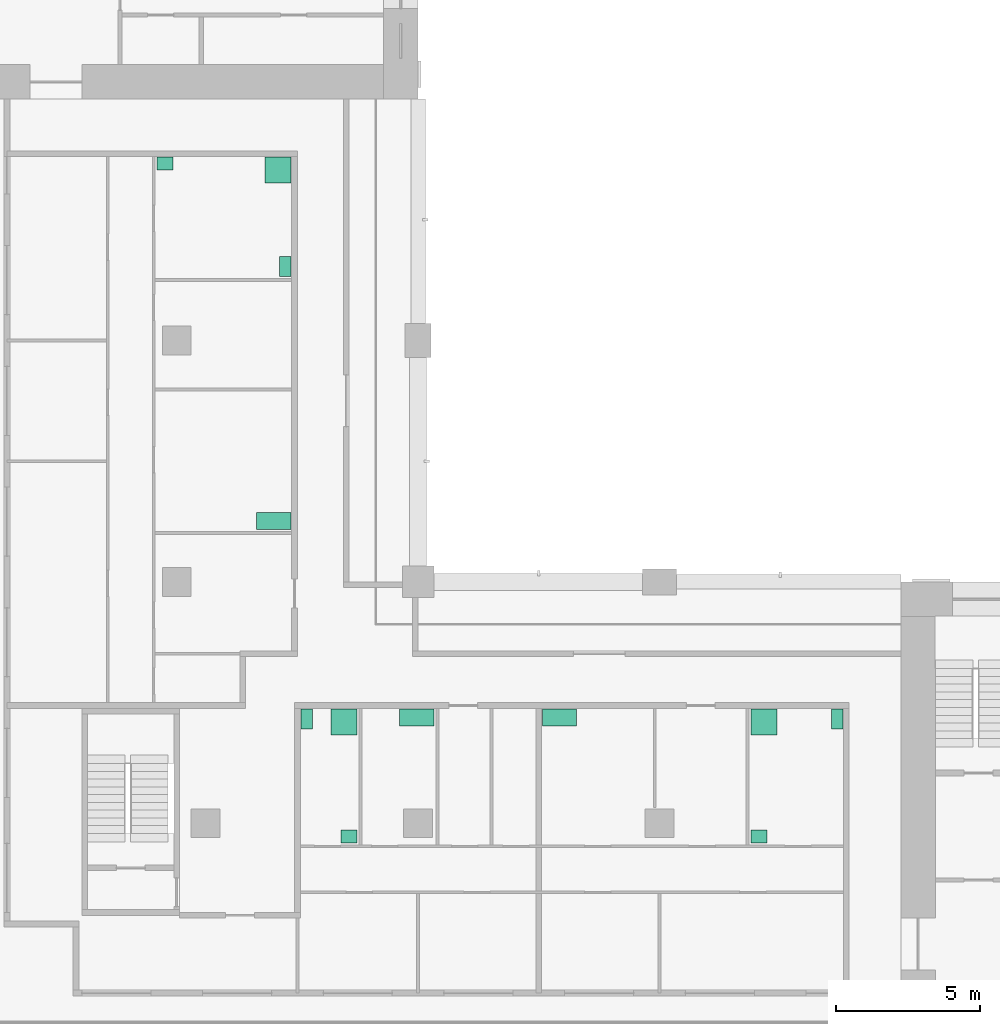
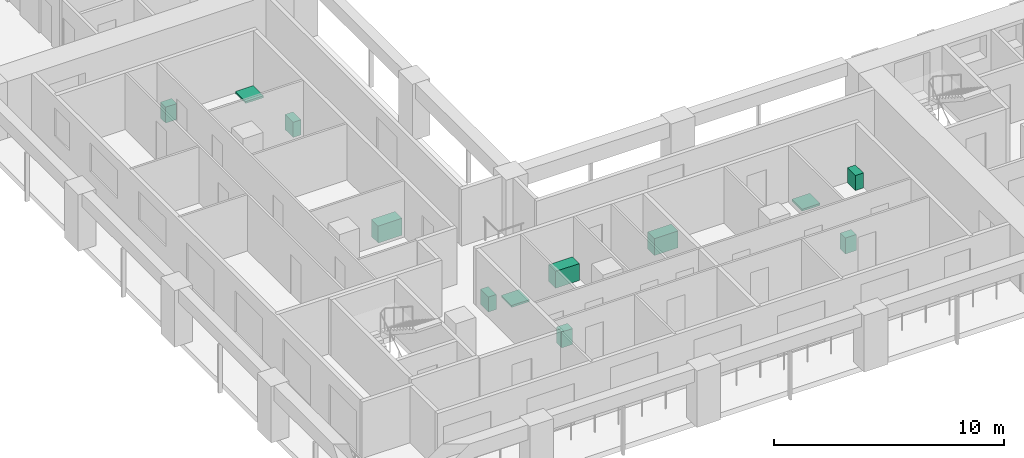
# One storey, part 11 of 11: 12 sanitary terminals.
"""IFC4 building model written with IfcOpenShell, lengths in metres."""

from ifc_helpers import new_model, si_unit, direction, frame, origin, origin_2d, place, context, subcontext, project, spatial, rectangle, extrude, material, element, save


model = new_model("IFC4")

# Units and contexts
model_context = context("Model", 3, precision=1e-05, world=origin(), true_north=direction((0.0, 1.0)))
body_context = subcontext(model_context, "Body", "Model", "MODEL_VIEW")
ifc_project = project(units=[si_unit("LENGTHUNIT", "METRE"), si_unit("AREAUNIT", "SQUARE_METRE"), si_unit("VOLUMEUNIT", "CUBIC_METRE"), si_unit("PLANEANGLEUNIT", "RADIAN"), si_unit("MASSUNIT", "GRAM", prefix="KILO")], contexts=[model_context])

# Site, building, storey
site_placement = place(None, origin())
site = spatial("IfcSite", under=ifc_project, at=site_placement, CompositionType="ELEMENT")
building_placement = place(site_placement, origin())
building = spatial("IfcBuilding", under=site, at=building_placement, Name="Vermilion Gate Residences", CompositionType="ELEMENT")
storey_placement = place(building_placement, frame((0.0, 0.0, 203.699951171875)))
storey = spatial("IfcBuildingStorey", under=building, at=storey_placement, Name="L53", CompositionType="ELEMENT", Elevation=203.699951171875)

# Sanitary terminals
ifc_material_1 = material(Name="Vitreous china")
sanitary_terminal_1_placement = place(storey_placement, frame((22.6201171875, 20.330078125, 0.0), z_axis=(0.0, 0.0, 1.0), x_axis=(1.0, 0.0, 0.0)))
element("IfcSanitaryTerminal", 1, at=sanitary_terminal_1_placement, inside=storey, material=ifc_material_1, Name="Shower tray", PredefinedType="SHOWER", context=body_context, shape_type="SweptSolid", body=[
    extrude(rectangle(XDim=0.89990234375, YDim=0.89990234375, at=origin_2d()), origin(), (0.0, 0.0, 1.0), 0.10009765625),
])
sanitary_terminal_2_placement = place(storey_placement, frame((21.320068359375, 20.429931640625, 0.0), z_axis=(0.0, 0.0, 1.0), x_axis=(1.0, 0.0, 0.0)))
element("IfcSanitaryTerminal", 2, at=sanitary_terminal_2_placement, inside=storey, material=ifc_material_1, Name="Toilet", PredefinedType="TOILETPAN", context=body_context, shape_type="SweptSolid", body=[
    extrude(rectangle(XDim=0.39990234375, YDim=0.699951171875, at=origin_2d()), origin(), (0.0, 0.0, 1.0), 0.800048828125),
])
sanitary_terminal_3_placement = place(storey_placement, frame((22.794921875, 16.344970703125, 0.0), z_axis=(0.0, 0.0, 1.0), x_axis=(1.0, 0.0, 0.0)))
element("IfcSanitaryTerminal", 3, at=sanitary_terminal_3_placement, inside=storey, material=ifc_material_1, Name="Wash basin", PredefinedType="WASHHANDBASIN", context=body_context, shape_type="SweptSolid", body=[
    extrude(rectangle(XDim=0.550048828125, YDim=0.449951171875, at=origin_2d()), origin(), (0.0, 0.0, 1.0), 0.85009765625),
])
ifc_material_2 = material(Name="Stainless steel", Category="steel")
for number, where, z_axis, x_axis, name in (
    (4, (25.154052734375, 20.47998046875, 0.0), (0.0, 0.0, 1.0), (1.0, 0.0, 0.0), "Kitchen sink"),
    (5, (30.1201171875, 20.47998046875, 0.0), (0.0, 0.0, 1.0), (1.0, 0.0, 0.0), "Kitchen sink"),
):
    element("IfcSanitaryTerminal", number, at=place(storey_placement, frame(where, z_axis=z_axis, x_axis=x_axis)), inside=storey, material=ifc_material_2, Name=name, PredefinedType="SINK", context=body_context, shape_type="SweptSolid", body=[
        extrude(rectangle(XDim=1.199951171875, YDim=0.60009765625, at=origin_2d()), origin(), (0.0, 0.0, 1.0), 0.89990234375),
    ])
sanitary_terminal_4_placement = place(storey_placement, frame((37.237060546875, 20.330078125, 0.0), z_axis=(0.0, 0.0, 1.0), x_axis=(1.0, 0.0, 0.0)))
element("IfcSanitaryTerminal", 6, at=sanitary_terminal_4_placement, inside=storey, material=ifc_material_1, Name="Shower tray", PredefinedType="SHOWER", context=body_context, shape_type="SweptSolid", body=[
    extrude(rectangle(XDim=0.89990234375, YDim=0.89990234375, at=origin_2d()), origin(), (0.0, 0.0, 1.0), 0.10009765625),
])
sanitary_terminal_5_placement = place(storey_placement, frame((39.780029296875, 20.429931640625, 0.0), z_axis=(0.0, 0.0, 1.0), x_axis=(1.0, 0.0, 0.0)))
element("IfcSanitaryTerminal", 7, at=sanitary_terminal_5_placement, inside=storey, material=ifc_material_1, Name="Toilet", PredefinedType="TOILETPAN", context=body_context, shape_type="SweptSolid", body=[
    extrude(rectangle(XDim=0.39990234375, YDim=0.699951171875, at=origin_2d()), origin(), (0.0, 0.0, 1.0), 0.800048828125),
])
sanitary_terminal_6_placement = place(storey_placement, frame((37.06201171875, 16.344970703125, 0.0), z_axis=(0.0, 0.0, 1.0), x_axis=(1.0, 0.0, 0.0)))
element("IfcSanitaryTerminal", 8, at=sanitary_terminal_6_placement, inside=storey, material=ifc_material_1, Name="Wash basin", PredefinedType="WASHHANDBASIN", context=body_context, shape_type="SweptSolid", body=[
    extrude(rectangle(XDim=0.550048828125, YDim=0.449951171875, at=origin_2d()), origin(), (0.0, 0.0, 1.0), 0.85009765625),
])
sanitary_terminal_7_placement = place(storey_placement, frame((20.179931640625, 27.320068359375, 0.0), z_axis=(0.0, 0.0, 1.0), x_axis=(1.0, 0.0, 0.0)))
element("IfcSanitaryTerminal", 9, at=sanitary_terminal_7_placement, inside=storey, material=ifc_material_2, Name="Kitchen sink", PredefinedType="SINK", context=body_context, shape_type="SweptSolid", body=[
    extrude(rectangle(XDim=1.199951171875, YDim=0.60009765625, at=origin_2d()), origin(), (0.0, 0.0, 1.0), 0.89990234375),
])
sanitary_terminal_8_placement = place(storey_placement, frame((20.330078125, 39.530029296875, 0.0), z_axis=(0.0, 0.0, 1.0), x_axis=(1.0, 0.0, 0.0)))
element("IfcSanitaryTerminal", 10, at=sanitary_terminal_8_placement, inside=storey, material=ifc_material_1, Name="Shower tray", PredefinedType="SHOWER", context=body_context, shape_type="SweptSolid", body=[
    extrude(rectangle(XDim=0.89990234375, YDim=0.89990234375, at=origin_2d()), origin(), (0.0, 0.0, 1.0), 0.10009765625),
])
sanitary_terminal_9_placement = place(storey_placement, frame((20.580078125, 36.169921875, 0.0), z_axis=(0.0, 0.0, 1.0), x_axis=(1.0, 0.0, 0.0)))
element("IfcSanitaryTerminal", 11, at=sanitary_terminal_9_placement, inside=storey, material=ifc_material_1, Name="Toilet", PredefinedType="TOILETPAN", context=body_context, shape_type="SweptSolid", body=[
    extrude(rectangle(XDim=0.39990234375, YDim=0.699951171875, at=origin_2d()), origin(), (0.0, 0.0, 1.0), 0.800048828125),
])
sanitary_terminal_10_placement = place(storey_placement, frame((16.39501953125, 39.7548828125, 0.0), z_axis=(0.0, 0.0, 1.0), x_axis=(1.0, 0.0, 0.0)))
element("IfcSanitaryTerminal", 12, at=sanitary_terminal_10_placement, inside=storey, material=ifc_material_1, Name="Wash basin", PredefinedType="WASHHANDBASIN", context=body_context, shape_type="SweptSolid", body=[
    extrude(rectangle(XDim=0.550048828125, YDim=0.449951171875, at=origin_2d()), origin(), (0.0, 0.0, 1.0), 0.85009765625),
])

save(model, "model.ifc")
